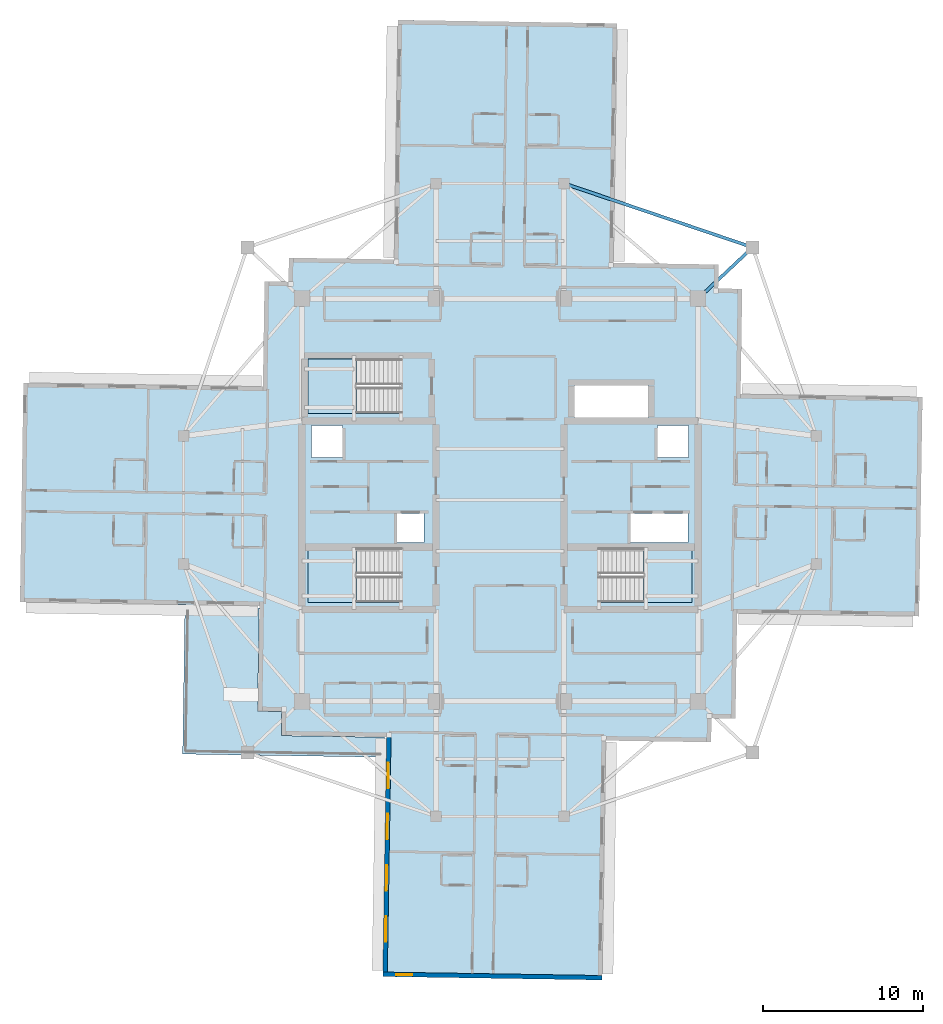
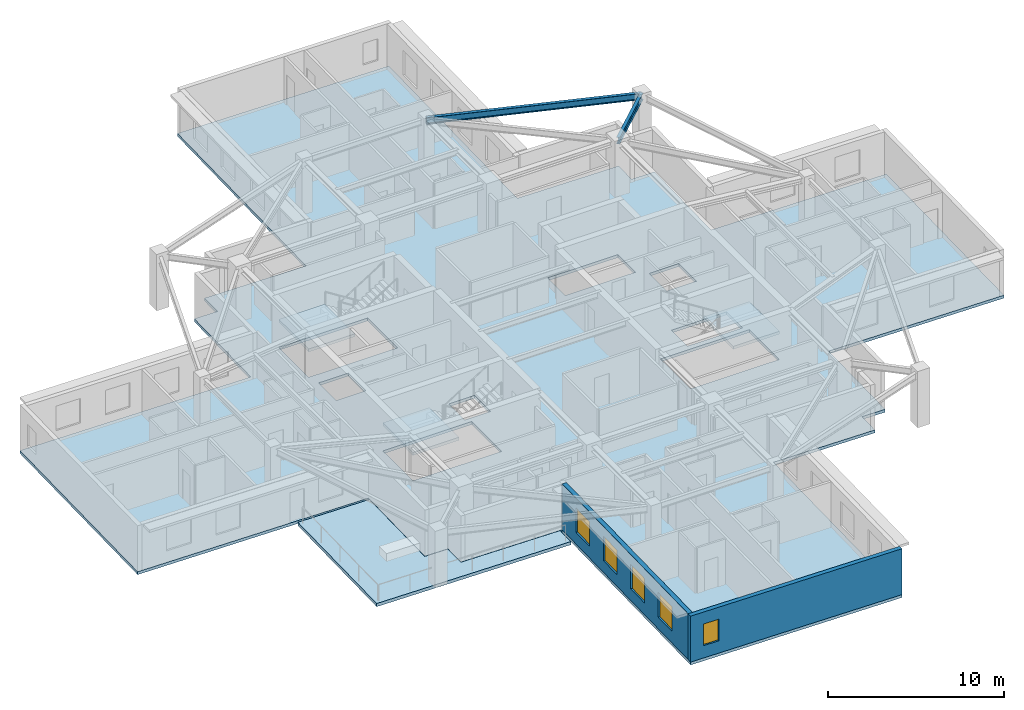
# One storey, part 2 of 12: 5 slabs, 5 windows, 2 beams, 2 walls, 5 openings, 3 elements without a shape of their own.
"""IFC4 building model written with IfcOpenShell, lengths in metres."""

from ifc_helpers import new_model, si_unit, direction, frame, frame_2d, origin, origin_2d, place, context, subcontext, project, spatial, polyline, rectangle, i_section, outline, extrude, material, layer, layer_set, material_profile, profile_set, type_object, element, fill, aggregate, save


model = new_model("IFC4")

# Units and contexts
model_context = context("Model", 3, precision=1e-05, world=origin(), true_north=direction((0.0, 1.0)))
body_context = subcontext(model_context, "Body", "Model", "MODEL_VIEW")
ifc_project = project(units=[si_unit("LENGTHUNIT", "METRE"), si_unit("AREAUNIT", "SQUARE_METRE"), si_unit("VOLUMEUNIT", "CUBIC_METRE"), si_unit("PLANEANGLEUNIT", "RADIAN"), si_unit("MASSUNIT", "GRAM", prefix="KILO")], contexts=[model_context])

# Site, building, storey
site_placement = place(None, origin())
site = spatial("IfcSite", under=ifc_project, at=site_placement, CompositionType="ELEMENT")
building_placement = place(site_placement, origin())
building = spatial("IfcBuilding", under=site, at=building_placement, Name="Qingluan Cross Belvedere", CompositionType="ELEMENT")
storey_placement = place(building_placement, frame((0.0, 0.0, 261.60009765625)))
storey = spatial("IfcBuildingStorey", under=building, at=storey_placement, Name="L65", CompositionType="ELEMENT", Elevation=261.60009765625)

# Beams
ifc_material_1 = material(Name="Steel Q420GJB", Category="steel")
ifc_material_profile = material_profile(ifc_material_1, i_section(OverallWidth=0.199951171875, OverallDepth=0.449951171875, WebThickness=0.009033203125, FlangeThickness=0.013916015625, FilletRadius=0.01611328125, at=origin_2d()), Name="HN450x200x9x14")
ifc_profile_set = profile_set([ifc_material_profile], Name="Steel Q420GJB")
beam_type = type_object("IfcBeamType", Name="Steel_Beam_HN450x200x9x14", PredefinedType="JOIST", material=ifc_profile_set)
beam_1_placement = place(storey_placement, frame((12.39990234375, 12.60009765625, 3.474853515625), z_axis=(0.728219948308, 0.685343495546, 0.0), x_axis=(-0.685343495546, 0.728219948308, 0.0)))
element("IfcBeam", 1, at=beam_1_placement, inside=storey, type_object=beam_type, Name="Corner beam 1 L65-RNE", PredefinedType="JOIST", context=body_context, shape_type="SweptSolid", body=[
    extrude(i_section(OverallWidth=0.199951171875, OverallDepth=0.449951171875, WebThickness=0.009033203125, FlangeThickness=0.013916015625, FilletRadius=0.01611328125, at=origin_2d()), origin(), (0.0, 0.0, 1.0), 4.669189453125),
])
beam_2_placement = place(storey_placement, frame((15.800048828125, 15.800048828125, 3.474853515625), z_axis=(-0.947066283324, 0.321038089628, 0.0), x_axis=(-0.321038089628, -0.947066283324, 0.0)))
element("IfcBeam", 2, at=beam_2_placement, inside=storey, type_object=beam_type, Name="Corner beam 2 L65-RNE", PredefinedType="JOIST", context=body_context, shape_type="SweptSolid", body=[
    extrude(i_section(OverallWidth=0.199951171875, OverallDepth=0.449951171875, WebThickness=0.009033203125, FlangeThickness=0.013916015625, FilletRadius=0.01611328125, at=origin_2d()), origin(), (0.0, 0.0, 1.0), 12.45947265625),
])

# Slab
ifc_material_2 = material(Name="Concrete C40", Category="concrete")
ifc_layer_1 = layer(ifc_material_2, 0.199951171875, Name="FloorSlab_200")
ifc_layer_set_1 = layer_set([ifc_layer_1], Name="Concrete C40")
slab_type_1 = type_object("IfcSlabType", Name="FloorSlab_200", PredefinedType="FLOOR", material=ifc_layer_set_1)
slab_1_placement = place(storey_placement, frame((0.0, 0.0, -0.2001953125)))
element("IfcSlab", 3, at=slab_1_placement, inside=storey, type_object=slab_type_1, Name="Structural floor slab L65", PredefinedType="FLOOR", context=body_context, shape_type="SweptSolid", body=[
    extrude(outline(polyline([(6.38916015625, -30.024169921875), (6.62451171875, -15.0458984375), (13.20361328125, -15.1494140625), (13.227294921875, -13.6494140625), (14.72705078125, -13.673095703125), (14.830322265625, -7.09375), (26.208984375, -7.272705078125), (26.424560546875, 6.44580078125), (15.0458984375, 6.62451171875), (15.1494140625, 13.20361328125), (13.6494140625, 13.227294921875), (13.673095703125, 14.72705078125), (7.09375, 14.830322265625), (7.3291015625, 29.80859375), (-6.38916015625, 30.024169921875), (-6.62451171875, 15.0458984375), (-13.20361328125, 15.1494140625), (-13.227294921875, 13.6494140625), (-14.72705078125, 13.673095703125), (-14.830322265625, 7.09375), (-29.80859375, 7.3291015625), (-30.024169921875, -6.38916015625), (-15.0458984375, -6.62451171875), (-15.1494140625, -13.20361328125), (-13.6494140625, -13.227294921875), (-13.673095703125, -14.72705078125), (-7.09375, -14.830322265625), (-7.3291015625, -29.80859375), (6.38916015625, -30.024169921875)]), holes=[polyline([(-12.0, -3.0), (-6.179931640625, -3.0), (-6.179931640625, -6.39990234375), (-12.0, -6.39990234375), (-12.0, -3.0)]), polyline([(6.179931640625, -3.0), (12.0, -3.0), (12.0, -6.39990234375), (6.179931640625, -6.39990234375), (6.179931640625, -3.0)]), polyline([(-12.0, 8.820068359375), (-6.179931640625, 8.820068359375), (-6.179931640625, 5.419921875), (-12.0, 5.419921875), (-12.0, 8.820068359375)]), polyline([(-11.800048828125, 4.64990234375), (-9.85009765625, 4.64990234375), (-9.85009765625, 2.64990234375), (-11.800048828125, 2.64990234375), (-11.800048828125, 4.64990234375)]), polyline([(9.85009765625, 4.64990234375), (11.800048828125, 4.64990234375), (11.800048828125, 2.64990234375), (9.85009765625, 2.64990234375), (9.85009765625, 4.64990234375)]), polyline([(-6.449951171875, -0.840087890625), (-4.75, -0.840087890625), (-4.75, -2.659912109375), (-6.449951171875, -2.659912109375), (-6.449951171875, -0.840087890625)]), polyline([(8.14990234375, -0.840087890625), (11.75, -0.840087890625), (11.75, -2.659912109375), (8.14990234375, -2.659912109375), (8.14990234375, -0.840087890625)]), polyline([(4.64990234375, 7.14990234375), (9.25, 7.14990234375), (9.25, 5.14990234375), (4.64990234375, 5.14990234375), (4.64990234375, 7.14990234375)])]), origin(), (0.0, 0.0, 1.0), 0.2001953125),
])

# Stair, slab
ifc_material_3 = material(Name="Concrete C40", Category="concrete")
stair_type = type_object("IfcStairType", Name="CoreDoglegStair_1620", PredefinedType="HALF_TURN_STAIR", material=ifc_material_3)
stair_1_placement = place(storey_placement, origin())
stair_1 = element("IfcStair", 4, at=stair_1_placement, inside=storey, type_object=stair_type, Name="L65 ST1", PredefinedType="HALF_TURN_STAIR")
ifc_material_4 = material(Name="Concrete C40", Category="concrete")
ifc_layer_2 = layer(ifc_material_4, 0.179931640625, Name="StairLandingSlab_180")
ifc_layer_set_2 = layer_set([ifc_layer_2], Name="Concrete C40")
slab_type_2 = type_object("IfcSlabType", Name="StairLandingSlab_180", PredefinedType="LANDING", material=ifc_layer_set_2)
slab_2_placement = place(storey_placement, frame((0.0, 0.0, 1.75)))
slab_2 = element("IfcSlab", 5, at=slab_2_placement, type_object=slab_type_2, Name="ST1 landing 1", PredefinedType="LANDING", context=body_context, shape_type="SweptSolid", body=[
    extrude(outline(polyline([(-8.97998046875, -3.0), (-12.0, -3.0), (-12.0, -6.39990234375), (-8.97998046875, -6.39990234375), (-8.97998046875, -3.0)])), origin(), (0.0, 0.0, 1.0), 0.199951171875),
])
aggregate(stair_1, [slab_2])

stair_2_placement = place(storey_placement, origin())
stair_2 = element("IfcStair", 6, at=stair_2_placement, inside=storey, type_object=stair_type, Name="L65 ST2", PredefinedType="HALF_TURN_STAIR")
slab_3_placement = place(storey_placement, frame((0.0, 0.0, 1.75)))
slab_3 = element("IfcSlab", 7, at=slab_3_placement, type_object=slab_type_2, Name="ST2 landing 1", PredefinedType="LANDING", context=body_context, shape_type="SweptSolid", body=[
    extrude(outline(polyline([(8.97998046875, -6.39990234375), (12.0, -6.39990234375), (12.0, -3.0), (8.97998046875, -3.0), (8.97998046875, -6.39990234375)])), origin(), (0.0, 0.0, 1.0), 0.199951171875),
])
aggregate(stair_2, [slab_3])

stair_3_placement = place(storey_placement, origin())
stair_3 = element("IfcStair", 8, at=stair_3_placement, inside=storey, type_object=stair_type, Name="L65 ST3", PredefinedType="HALF_TURN_STAIR")
slab_4_placement = place(storey_placement, frame((0.0, 0.0, 1.75)))
slab_4 = element("IfcSlab", 9, at=slab_4_placement, type_object=slab_type_2, Name="ST3 landing 1", PredefinedType="LANDING", context=body_context, shape_type="SweptSolid", body=[
    extrude(outline(polyline([(-8.97998046875, 8.820068359375), (-12.0, 8.820068359375), (-12.0, 5.419921875), (-8.97998046875, 5.419921875), (-8.97998046875, 8.820068359375)])), origin(), (0.0, 0.0, 1.0), 0.199951171875),
])
aggregate(stair_3, [slab_4])

# Slab
ifc_material_5 = material(Name="Concrete C40", Category="concrete")
ifc_layer_3 = layer(ifc_material_5, 0.219970703125, Name="TerraceSlab_220")
ifc_layer_set_3 = layer_set([ifc_layer_3], Name="Concrete C40")
slab_type_3 = type_object("IfcSlabType", Name="TerraceSlab_220", PredefinedType="FLOOR", material=ifc_layer_set_3)
slab_5_placement = place(storey_placement, frame((0.0, 0.0, -0.22021484375)))
element("IfcSlab", 10, at=slab_5_placement, inside=storey, type_object=slab_type_3, Name="Spiralling winter-garden terrace slab L65", PredefinedType="FLOOR", context=body_context, shape_type="SweptSolid", body=[
    extrude(outline(polyline([(-7.23388671875, -14.838134765625), (-13.6787109375, -14.7353515625), (-13.65966796875, -13.237060546875), (-15.1494140625, -13.213623046875), (-15.1591796875, -13.20556640625), (-15.05810546875, -6.764404296875), (-19.70751953125, -6.69140625), (-19.85205078125, -15.89013671875), (-7.253662109375, -16.088134765625), (-7.23388671875, -14.838134765625)])), origin(), (0.0, 0.0, 1.0), 0.22021484375),
])

# Wall, openings, windows
ifc_material_6 = material(Name="Precast concrete C45", Category="concrete")
ifc_layer_4 = layer(ifc_material_6, 0.280029296875, Name="PrecastFacadeWall_280")
ifc_layer_set_4 = layer_set([ifc_layer_4], Name="Precast concrete C45")
wall_type = type_object("IfcWallType", Name="PrecastFacadeWall_280", PredefinedType="STANDARD", material=ifc_layer_set_4)
wall_1_placement = place(storey_placement, frame((-6.953857421875, -14.83251953125, 0.0), z_axis=(0.0, 0.0, 1.0), x_axis=(-0.015711302158, -0.999876569875, 0.0)))
wall_1 = element("IfcWall", 11, at=wall_1_placement, inside=storey, type_object=wall_type, Name="Facade wall L65-SA", PredefinedType="STANDARD", context=body_context, shape_type="SweptSolid", body=[
    extrude(rectangle(XDim=14.699951171875, YDim=0.280029296875, at=frame_2d((7.35009765625, 0.0))), origin(), (0.0, 0.0, 1.0), 3.179931640625),
])
opening_1_placement = place(wall_1_placement, frame((1.60009765625, 0.0, 0.800048828125)))
opening_1 = element("IfcOpeningElement", 12, at=opening_1_placement, cuts=wall_1, Name="Opening W-04", PredefinedType="OPENING", context=body_context, shape_type="SweptSolid", body=[
    extrude(rectangle(XDim=1.60009765625, YDim=1.699951171875, at=frame_2d((0.800048828125, 0.85009765625))), frame((0.0, 0.14990234375, 0.0), z_axis=(0.0, -1.0, 0.0), x_axis=(1.0, 0.0, 0.0)), (0.0, 0.0, 1.0), 0.300048828125),
])
opening_2_placement = place(wall_1_placement, frame((4.800048828125, 0.0, 0.800048828125)))
opening_2 = element("IfcOpeningElement", 13, at=opening_2_placement, cuts=wall_1, Name="Opening W-04", PredefinedType="OPENING", context=body_context, shape_type="SweptSolid", body=[
    extrude(rectangle(XDim=1.60009765625, YDim=1.699951171875, at=frame_2d((0.800048828125, 0.85009765625))), frame((0.0, 0.14990234375, 0.0), z_axis=(0.0, -1.0, 0.0), x_axis=(1.0, 0.0, 0.0)), (0.0, 0.0, 1.0), 0.300048828125),
])
opening_3_placement = place(wall_1_placement, frame((8.0, 0.0, 0.800048828125)))
opening_3 = element("IfcOpeningElement", 14, at=opening_3_placement, cuts=wall_1, Name="Opening W-04", PredefinedType="OPENING", context=body_context, shape_type="SweptSolid", body=[
    extrude(rectangle(XDim=1.60009765625, YDim=1.699951171875, at=frame_2d((0.800048828125, 0.85009765625))), frame((0.0, 0.14990234375, 0.0), z_axis=(0.0, -1.0, 0.0), x_axis=(1.0, 0.0, 0.0)), (0.0, 0.0, 1.0), 0.300048828125),
])
opening_4_placement = place(wall_1_placement, frame((11.199951171875, 0.0, 0.800048828125)))
opening_4 = element("IfcOpeningElement", 15, at=opening_4_placement, cuts=wall_1, Name="Opening W-04", PredefinedType="OPENING", context=body_context, shape_type="SweptSolid", body=[
    extrude(rectangle(XDim=1.60009765625, YDim=1.699951171875, at=frame_2d((0.800048828125, 0.85009765625))), frame((0.0, 0.14990234375, 0.0), z_axis=(0.0, -1.0, 0.0), x_axis=(1.0, 0.0, 0.0)), (0.0, 0.0, 1.0), 0.300048828125),
])
ifc_material_7 = material(Name="Thermally broken triple Low-E glass in aluminium frame", Category="aluminium")
window_type_1 = type_object("IfcWindowType", Name="SuiteCornerWin_1600x1700", PartitioningType="SINGLE_PANEL", PredefinedType="WINDOW", material=ifc_material_7)
window_1_placement = place(opening_1_placement, origin())
window_1 = element("IfcWindow", 16, at=window_1_placement, inside=storey, type_object=window_type_1, Name="Ribbon window L65-SA-1", OverallHeight=1.699951171875, OverallWidth=1.60009765625, PartitioningType="SINGLE_PANEL", PredefinedType="WINDOW", context=body_context, shape_type="SweptSolid", body=[
    extrude(rectangle(XDim=1.60009765625, YDim=1.699951171875, at=frame_2d((0.800048828125, 0.85009765625))), frame((0.0, 0.030029296875, 0.0), z_axis=(0.0, -1.0, 0.0), x_axis=(1.0, 0.0, 0.0)), (0.0, 0.0, 1.0), 0.06005859375),
])
fill(opening_1, window_1)
window_2_placement = place(opening_2_placement, origin())
window_2 = element("IfcWindow", 17, at=window_2_placement, inside=storey, type_object=window_type_1, Name="Ribbon window L65-SA-2", OverallHeight=1.699951171875, OverallWidth=1.60009765625, PartitioningType="SINGLE_PANEL", PredefinedType="WINDOW", context=body_context, shape_type="SweptSolid", body=[
    extrude(rectangle(XDim=1.60009765625, YDim=1.699951171875, at=frame_2d((0.800048828125, 0.85009765625))), frame((0.0, 0.030029296875, 0.0), z_axis=(0.0, -1.0, 0.0), x_axis=(1.0, 0.0, 0.0)), (0.0, 0.0, 1.0), 0.06005859375),
])
fill(opening_2, window_2)
window_3_placement = place(opening_3_placement, origin())
window_3 = element("IfcWindow", 18, at=window_3_placement, inside=storey, type_object=window_type_1, Name="Ribbon window L65-SA-3", OverallHeight=1.699951171875, OverallWidth=1.60009765625, PartitioningType="SINGLE_PANEL", PredefinedType="WINDOW", context=body_context, shape_type="SweptSolid", body=[
    extrude(rectangle(XDim=1.60009765625, YDim=1.699951171875, at=frame_2d((0.800048828125, 0.85009765625))), frame((0.0, 0.030029296875, 0.0), z_axis=(0.0, -1.0, 0.0), x_axis=(1.0, 0.0, 0.0)), (0.0, 0.0, 1.0), 0.06005859375),
])
fill(opening_3, window_3)
window_4_placement = place(opening_4_placement, origin())
window_4 = element("IfcWindow", 19, at=window_4_placement, inside=storey, type_object=window_type_1, Name="Ribbon window L65-SA-4", OverallHeight=1.699951171875, OverallWidth=1.60009765625, PartitioningType="SINGLE_PANEL", PredefinedType="WINDOW", context=body_context, shape_type="SweptSolid", body=[
    extrude(rectangle(XDim=1.60009765625, YDim=1.699951171875, at=frame_2d((0.800048828125, 0.85009765625))), frame((0.0, 0.030029296875, 0.0), z_axis=(0.0, -1.0, 0.0), x_axis=(1.0, 0.0, 0.0)), (0.0, 0.0, 1.0), 0.06005859375),
])
fill(opening_4, window_4)

# Wall, opening, window
wall_2_placement = place(storey_placement, frame((-7.326904296875, -29.668701171875, 0.0), z_axis=(0.0, 0.0, 1.0), x_axis=(0.999876828887, -0.015694809807, 0.0)))
wall_2 = element("IfcWall", 20, at=wall_2_placement, inside=storey, type_object=wall_type, Name="Arm tip precast facade wall L65-S", PredefinedType="STANDARD", context=body_context, shape_type="SweptSolid", body=[
    extrude(rectangle(XDim=13.719970703125, YDim=0.280029296875, at=frame_2d((6.85986328125, 0.0))), origin(), (0.0, 0.0, 1.0), 3.179931640625),
])
opening_5_placement = place(wall_2_placement, frame((0.85009765625, 0.0, 0.85009765625)))
opening_5 = element("IfcOpeningElement", 21, at=opening_5_placement, cuts=wall_2, Name="Opening W-03", PredefinedType="OPENING", context=body_context, shape_type="SweptSolid", body=[
    extrude(rectangle(XDim=1.0, YDim=1.5, at=frame_2d((0.5, 0.75))), frame((0.0, 0.14990234375, 0.0), z_axis=(0.0, -1.0, 0.0), x_axis=(1.0, 0.0, 0.0)), (0.0, 0.0, 1.0), 0.300048828125),
])
ifc_material_8 = material(Name="Thermally broken triple Low-E glass in aluminium frame", Category="aluminium")
window_type_2 = type_object("IfcWindowType", Name="TriApexWin_1000x1500", PartitioningType="SINGLE_PANEL", PredefinedType="WINDOW", material=ifc_material_8)
window_5_placement = place(opening_5_placement, origin())
window_5 = element("IfcWindow", 22, at=window_5_placement, inside=storey, type_object=window_type_2, Name="Arm tip triangular window L65-S", OverallHeight=1.5, OverallWidth=1.0, PartitioningType="SINGLE_PANEL", PredefinedType="WINDOW", context=body_context, shape_type="SweptSolid", body=[
    extrude(rectangle(XDim=1.0, YDim=1.5, at=frame_2d((0.5, 0.75))), frame((0.0, 0.030029296875, 0.0), z_axis=(0.0, -1.0, 0.0), x_axis=(1.0, 0.0, 0.0)), (0.0, 0.0, 1.0), 0.06005859375),
])
fill(opening_5, window_5)

save(model, "model.ifc")
